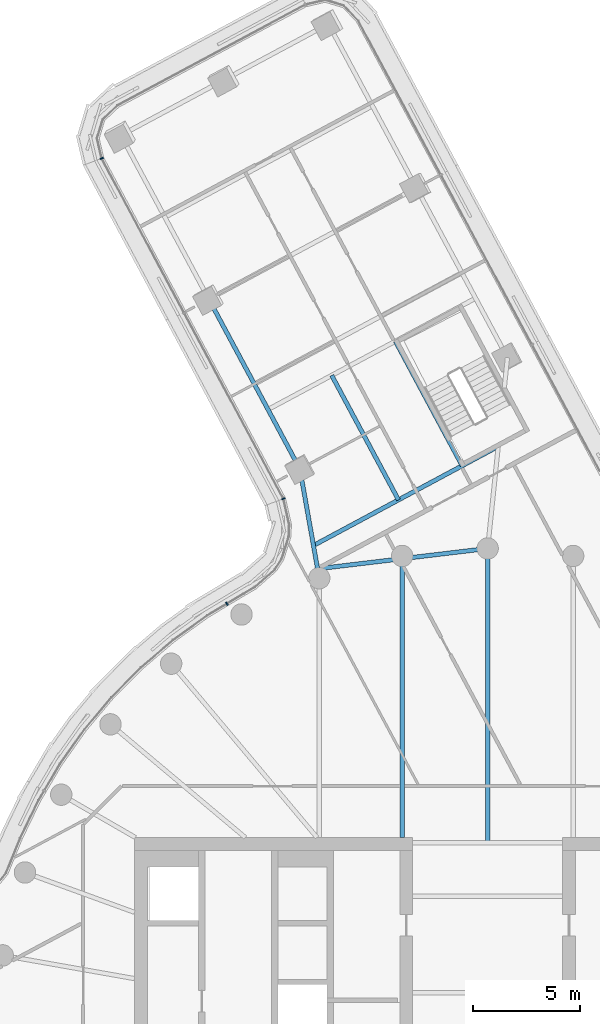
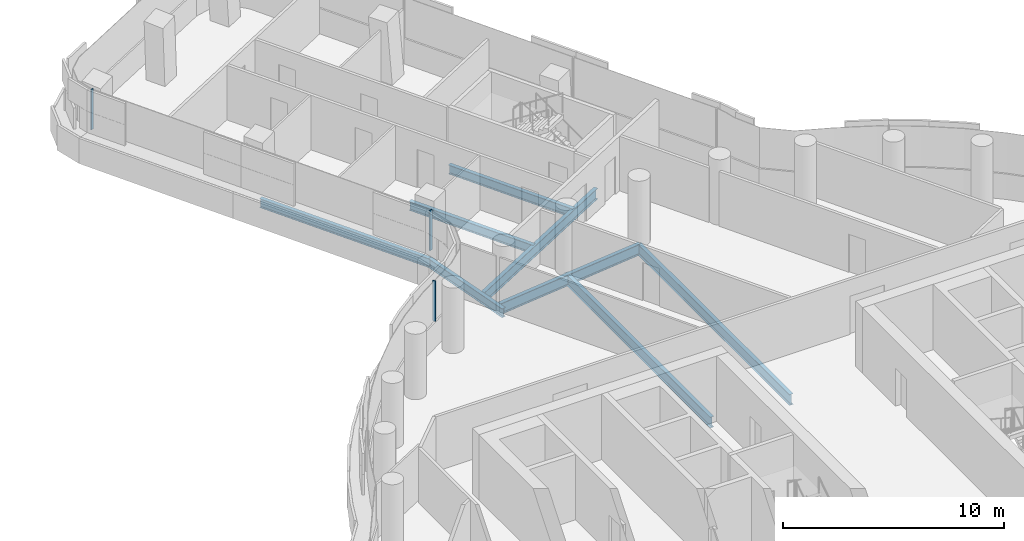
# One storey, part 13 of 33: 8 beams, 3 members, 2 elements without a shape of their own.
"""IFC4 building model written with IfcOpenShell, lengths in metres."""

from ifc_helpers import new_model, si_unit, direction, frame, origin, origin_2d, place, context, subcontext, project, spatial, rectangle, i_section, extrude, material, layer, layer_set, material_profile, profile_set, type_object, element, aggregate, save


model = new_model("IFC4")

# Units and contexts
model_context = context("Model", 3, precision=1e-05, world=origin(), true_north=direction((0.0, 1.0)))
body_context = subcontext(model_context, "Body", "Model", "MODEL_VIEW")
ifc_project = project(units=[si_unit("LENGTHUNIT", "METRE"), si_unit("AREAUNIT", "SQUARE_METRE"), si_unit("VOLUMEUNIT", "CUBIC_METRE"), si_unit("PLANEANGLEUNIT", "RADIAN"), si_unit("MASSUNIT", "GRAM", prefix="KILO")], contexts=[model_context])

# Site, building, storey
site_placement = place(None, origin())
site = spatial("IfcSite", under=ifc_project, at=site_placement, CompositionType="ELEMENT")
building_placement = place(site_placement, origin())
building = spatial("IfcBuilding", under=site, at=building_placement, Name="Tamarind Cross Interchange Tower", CompositionType="ELEMENT")
storey_placement = place(building_placement, frame((0.0, 0.0, 136.75)))
storey = spatial("IfcBuildingStorey", under=building, at=storey_placement, Name="L33", CompositionType="ELEMENT", Elevation=136.75)

# Beams
ifc_material_1 = material(Name="Steel Q355B", Category="steel")
ifc_material_profile_1 = material_profile(ifc_material_1, i_section(OverallWidth=0.198974609375, OverallDepth=0.49609375, WebThickness=0.009033203125, FlangeThickness=0.013916015625, FilletRadius=0.012939453125, at=origin_2d()), Name="HN 496x199x9x14")
ifc_profile_set_1 = profile_set([ifc_material_profile_1], Name="Steel Q355B")
beam_type_1 = type_object("IfcBeamType", Name="Composite beam HN 496x199x9x14 Q355B", PredefinedType="BEAM", material=ifc_profile_set_1)
beam_1_placement = place(storey_placement, frame((-13.0244140625, 34.645263671875, -0.387939453125), z_axis=(0.472712902777, -0.881216495277, 0.0), x_axis=(0.881216495277, 0.472712902777, 0.0)))
element("IfcBeam", 1, at=beam_1_placement, inside=storey, type_object=beam_type_1, Name="Beam N-edgeep3", PredefinedType="BEAM", context=body_context, shape_type="SweptSolid", body=[
    extrude(i_section(OverallWidth=0.198974609375, OverallDepth=0.49609375, WebThickness=0.009033203125, FlangeThickness=0.013916015625, FilletRadius=0.012939453125, at=origin_2d()), origin(), (0.0, 0.0, 1.0), 9.0),
])
beam_2_placement = place(storey_placement, frame((-8.77001953125, 26.71435546875, -0.387939453125), z_axis=(0.174408991421, -0.984673297958, 0.0), x_axis=(0.984673297958, 0.174408991421, 0.0)))
element("IfcBeam", 2, at=beam_2_placement, inside=storey, type_object=beam_type_1, Name="Beam N-linkep", PredefinedType="BEAM", context=body_context, shape_type="SweptSolid", body=[
    extrude(i_section(OverallWidth=0.198974609375, OverallDepth=0.49609375, WebThickness=0.009033203125, FlangeThickness=0.013916015625, FilletRadius=0.012939453125, at=origin_2d()), origin(), (0.0, 0.0, 1.0), 5.1806640625),
])
beam_3_placement = place(storey_placement, frame((-1.191162109375, 26.86474609375, -0.387939453125), z_axis=(-0.472671989385, 0.881238441315, 0.0), x_axis=(-0.881238441315, -0.472671989385, 0.0)))
element("IfcBeam", 3, at=beam_3_placement, inside=storey, type_object=beam_type_1, Name="Beam N-tr1", PredefinedType="BEAM", context=body_context, shape_type="SweptSolid", body=[
    extrude(i_section(OverallWidth=0.198974609375, OverallDepth=0.49609375, WebThickness=0.009033203125, FlangeThickness=0.013916015625, FilletRadius=0.012939453125, at=origin_2d()), origin(), (0.0, 0.0, 1.0), 6.60009765625),
])
beam_4_placement = place(storey_placement, frame((-4.165283203125, 25.26953125, -0.387939453125), z_axis=(-0.472687397957, 0.881230176408, 0.0), x_axis=(-0.881230176408, -0.472687397957, 0.0)))
element("IfcBeam", 4, at=beam_4_placement, inside=storey, type_object=beam_type_1, Name="Beam N-stripp", PredefinedType="BEAM", context=body_context, shape_type="SweptSolid", body=[
    extrude(i_section(OverallWidth=0.198974609375, OverallDepth=0.49609375, WebThickness=0.009033203125, FlangeThickness=0.013916015625, FilletRadius=0.012939453125, at=origin_2d()), origin(), (0.0, 0.0, 1.0), 6.599853515625),
])
ifc_material_profile_2 = material_profile(ifc_material_1, i_section(OverallWidth=0.198974609375, OverallDepth=0.595947265625, WebThickness=0.010009765625, FlangeThickness=0.014892578125, FilletRadius=0.012939453125, at=origin_2d()), Name="HN 596x199x10x15")
ifc_profile_set_2 = profile_set([ifc_material_profile_2], Name="Steel Q355B")
beam_type_2 = type_object("IfcBeamType", Name="Composite beam HN 596x199x10x15 Q355B", PredefinedType="BEAM", material=ifc_profile_set_2)
beam_5_placement = place(storey_placement, frame((0.0, 23.0, -0.43798828125), z_axis=(0.0, -1.0, 0.0), x_axis=(1.0, 0.0, 0.0)))
element("IfcBeam", 5, at=beam_5_placement, inside=storey, type_object=beam_type_2, Name="Beam HH09", PredefinedType="BEAM", context=body_context, shape_type="SweptSolid", body=[
    extrude(i_section(OverallWidth=0.198974609375, OverallDepth=0.595947265625, WebThickness=0.010009765625, FlangeThickness=0.014892578125, FilletRadius=0.012939453125, at=origin_2d()), origin(), (0.0, 0.0, 1.0), 13.75),
])
beam_6_placement = place(storey_placement, frame((-3.993896484375, 22.650634765625, -0.43798828125), z_axis=(0.0, -1.0, 0.0), x_axis=(1.0, 0.0, 0.0)))
element("IfcBeam", 6, at=beam_6_placement, inside=storey, type_object=beam_type_2, Name="Beam HH10", PredefinedType="BEAM", context=body_context, shape_type="SweptSolid", body=[
    extrude(i_section(OverallWidth=0.198974609375, OverallDepth=0.595947265625, WebThickness=0.010009765625, FlangeThickness=0.014892578125, FilletRadius=0.012939453125, at=origin_2d()), origin(), (0.0, 0.0, 1.0), 13.150634765625),
])
ifc_material_profile_3 = material_profile(ifc_material_1, i_section(OverallWidth=0.199951171875, OverallDepth=0.60009765625, WebThickness=0.010986328125, FlangeThickness=0.01708984375, FilletRadius=0.012939453125, at=origin_2d()), Name="HN 600x200x11x17")
ifc_profile_set_3 = profile_set([ifc_material_profile_3], Name="Steel Q355B")
beam_type_3 = type_object("IfcBeamType", Name="Composite beam HN 600x200x11x17 Q355B", PredefinedType="BEAM", material=ifc_profile_set_3)
beam_7_placement = place(storey_placement, frame((0.493896484375, 27.7685546875, -0.43994140625), z_axis=(-0.881220801301, -0.472704875536, 0.0), x_axis=(0.472704875536, -0.881220801301, 0.0)))
element("IfcBeam", 7, at=beam_7_placement, inside=storey, type_object=beam_type_3, Name="Beam N-x268", PredefinedType="BEAM", context=body_context, shape_type="SweptSolid", body=[
    extrude(i_section(OverallWidth=0.199951171875, OverallDepth=0.60009765625, WebThickness=0.010986328125, FlangeThickness=0.01708984375, FilletRadius=0.012939453125, at=origin_2d()), origin(), (0.0, 0.0, 1.0), 9.7939453125),
])
beam_8_placement = place(storey_placement, frame((0.0, 23.0, -0.43994140625), z_axis=(-0.992940518463, -0.118613349988, 0.0), x_axis=(0.118613349988, -0.992940518463, 0.0)))
element("IfcBeam", 8, at=beam_8_placement, inside=storey, type_object=beam_type_3, Name="Beam N-x258", PredefinedType="BEAM", context=body_context, shape_type="SweptSolid", body=[
    extrude(i_section(OverallWidth=0.199951171875, OverallDepth=0.60009765625, WebThickness=0.010986328125, FlangeThickness=0.01708984375, FilletRadius=0.012939453125, at=origin_2d()), origin(), (0.0, 0.0, 1.0), 8.00048828125),
])

# Curtain wall, member
ifc_material_2 = material(Name="Aluminium 6063-T6", Category="aluminium")
ifc_layer = layer(ifc_material_2, 0.159912109375)
ifc_layer_set = layer_set([ifc_layer], Name="Aluminium 6063-T6")
curtain_wall_type = type_object("IfcCurtainWallType", Name="Office curtain wall, 9.0 m bays", PredefinedType="NOTDEFINED", material=ifc_layer_set)
curtain_wall_1_placement = place(storey_placement, origin())
curtain_wall_1 = element("IfcCurtainWall", 9, at=curtain_wall_1_placement, inside=storey, type_object=curtain_wall_type, Name="CWS-L33-01", PredefinedType="NOTDEFINED")
ifc_material_profile_4 = material_profile(ifc_material_2, rectangle(XDim=0.06005859375, YDim=0.159912109375, at=origin_2d()), Name="Mullion CW1")
ifc_profile_set_4 = profile_set([ifc_material_profile_4], Name="Aluminium 6063-T6")
member_type = type_object("IfcMemberType", Name="Mullion CW1", PredefinedType="MULLION", material=ifc_profile_set_4)
member_1_placement = place(storey_placement, frame((-18.028076171875, 41.222900390625, 1.39990234375), z_axis=(0.0, 0.0, 1.0), x_axis=(0.352708617044, -0.93573320528, 0.0)))
member_1 = element("IfcMember", 10, at=member_1_placement, type_object=member_type, Name="CWM-L33-01-00", PredefinedType="MULLION", context=body_context, shape_type="SweptSolid", body=[
    extrude(rectangle(XDim=0.06005859375, YDim=0.159912109375, at=origin_2d()), origin(), (0.0, 0.0, 1.0), 2.210205078125),
])
aggregate(curtain_wall_1, [member_1])

# Curtain wall, members
curtain_wall_2_placement = place(storey_placement, origin())
curtain_wall_2 = element("IfcCurtainWall", 11, at=curtain_wall_2_placement, inside=storey, type_object=curtain_wall_type, Name="CWS-L33-02", PredefinedType="NOTDEFINED")
member_2_placement = place(storey_placement, frame((-9.54052734375, 25.3251953125, 1.39990234375), z_axis=(0.0, 0.0, 1.0), x_axis=(0.349771319523, -0.936835110379, 0.0)))
member_2 = element("IfcMember", 12, at=member_2_placement, type_object=member_type, Name="CWM-L33-02-00", PredefinedType="MULLION", context=body_context, shape_type="SweptSolid", body=[
    extrude(rectangle(XDim=0.06005859375, YDim=0.159912109375, at=origin_2d()), origin(), (0.0, 0.0, 1.0), 2.210205078125),
])
member_3_placement = place(storey_placement, frame((-12.179931640625, 20.4189453125, 1.39990234375), z_axis=(0.0, 0.0, 1.0), x_axis=(-0.856843065292, -0.515577308909, 0.0)))
member_3 = element("IfcMember", 13, at=member_3_placement, type_object=member_type, Name="CWM-L33-02-01", PredefinedType="MULLION", context=body_context, shape_type="SweptSolid", body=[
    extrude(rectangle(XDim=0.06005859375, YDim=0.159912109375, at=origin_2d()), origin(), (0.0, 0.0, 1.0), 2.210205078125),
])
aggregate(curtain_wall_2, [member_2, member_3])

save(model, "model.ifc")
